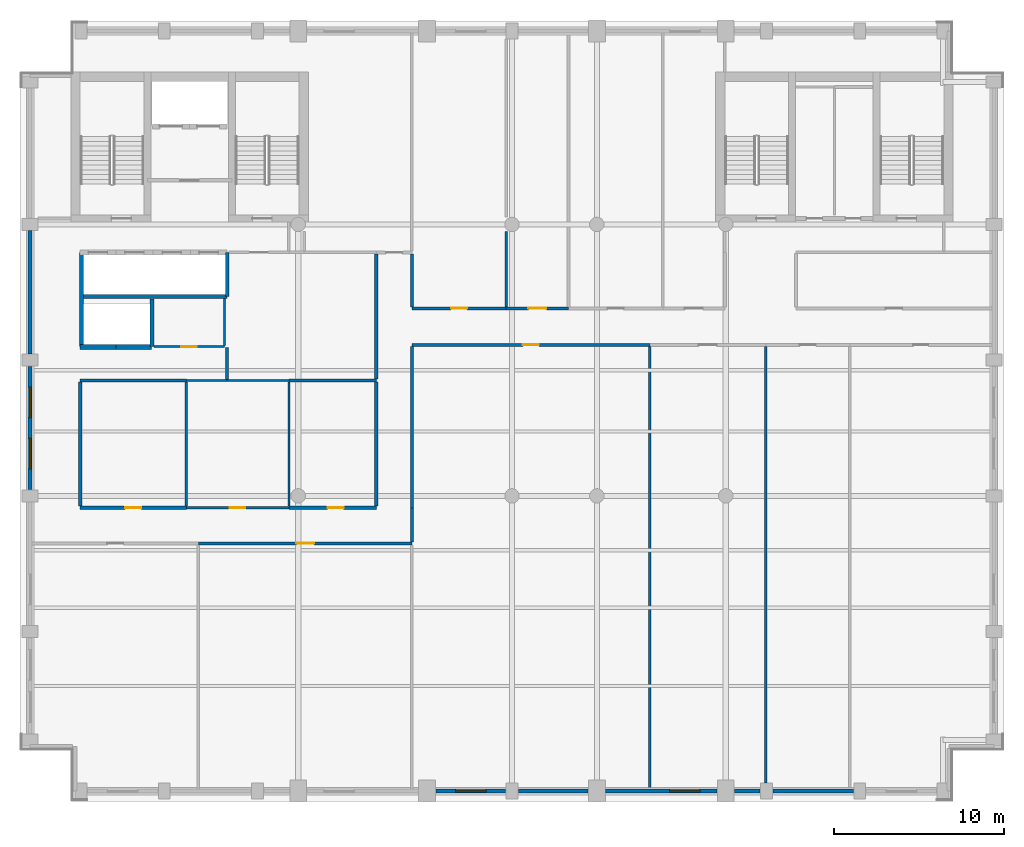
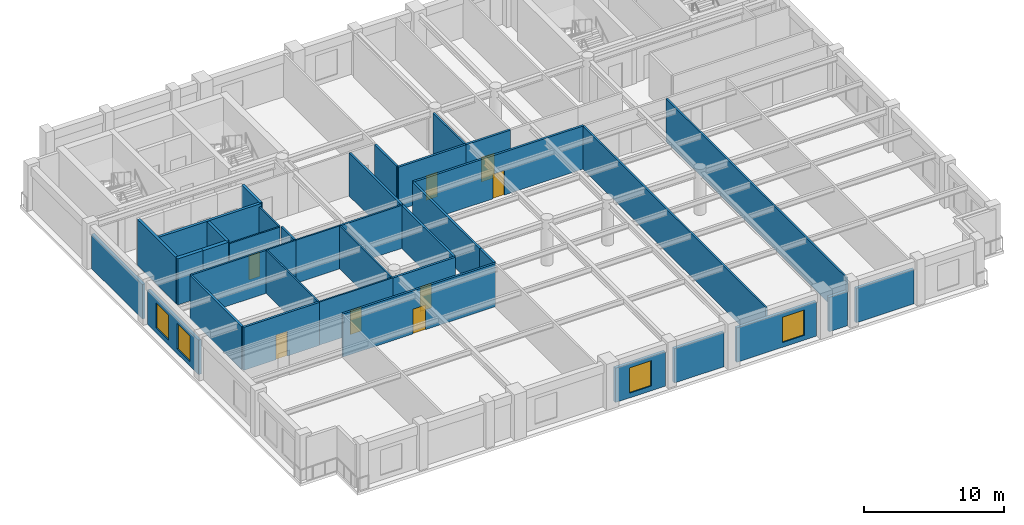
# One storey, part 3 of 9: 38 walls, 8 doors, 4 windows, 12 openings.
"""IFC4 building model written with IfcOpenShell, lengths in metres."""

from ifc_helpers import new_model, si_unit, direction, frame, frame_2d, origin, place, context, subcontext, project, spatial, rectangle, extrude, material, layer, layer_set, type_object, element, fill, save


model = new_model("IFC4")

# Units and contexts
model_context = context("Model", 3, precision=1e-05, world=origin(), true_north=direction((0.0, 1.0)))
body_context = subcontext(model_context, "Body", "Model", "MODEL_VIEW")
ifc_project = project(units=[si_unit("LENGTHUNIT", "METRE"), si_unit("AREAUNIT", "SQUARE_METRE"), si_unit("VOLUMEUNIT", "CUBIC_METRE"), si_unit("PLANEANGLEUNIT", "RADIAN"), si_unit("MASSUNIT", "GRAM", prefix="KILO")], contexts=[model_context])

# Site, building, storey
site_placement = place(None, origin())
site = spatial("IfcSite", under=ifc_project, at=site_placement, CompositionType="ELEMENT")
building_placement = place(site_placement, origin())
building = spatial("IfcBuilding", under=site, at=building_placement, Name="Sulina Concourse Tower", CompositionType="ELEMENT")
storey_placement = place(building_placement, frame((0.0, 0.0, 272.60009765625)))
storey = spatial("IfcBuildingStorey", under=building, at=storey_placement, Name="L66", CompositionType="ELEMENT", Elevation=272.60009765625)

# Walls
ifc_material_1 = material(Name="Concrete C50/60", Category="concrete")
ifc_layer_1 = layer(ifc_material_1, 0.219970703125)
ifc_layer_set_1 = layer_set([ifc_layer_1], Name="Concrete C50/60")
wall_type_1 = type_object("IfcWallType", Name="Core Lift Hoistway Divider Wall 220mm", PredefinedType="SOLIDWALL", material=ifc_layer_set_1)
wall_1_placement = place(storey_placement, frame((3.550048828125, 29.75, 0.0), z_axis=(0.0, 0.0, 1.0), x_axis=(1.0, 0.0, 0.0)))
element("IfcWall", 1, at=wall_1_placement, inside=storey, type_object=wall_type_1, Name="L66 shaft divider wall HW-LP3-S", PredefinedType="SOLIDWALL", context=body_context, shape_type="SweptSolid", body=[
    extrude(rectangle(XDim=8.64990234375, YDim=0.219970703125, at=frame_2d((4.324951171875, 0.0))), origin(), (0.0, 0.0, 1.0), 4.0),
])
wall_2_placement = place(storey_placement, frame((3.6298828125, 26.800048828125, 0.0), z_axis=(0.0, 0.0, 1.0), x_axis=(0.0, 1.0, 0.0)))
element("IfcWall", 2, at=wall_2_placement, inside=storey, type_object=wall_type_1, Name="L66 shaft divider wall HW-LP3-W", PredefinedType="SOLIDWALL", context=body_context, shape_type="SweptSolid", body=[
    extrude(rectangle(XDim=5.550048828125, YDim=0.219970703125, at=frame_2d((2.77490234375, 0.0))), origin(), (0.0, 0.0, 1.0), 4.0),
])
wall_3_placement = place(storey_placement, frame((7.780029296875, 26.800048828125, 0.0), z_axis=(0.0, 0.0, 1.0), x_axis=(0.0, 1.0, 0.0)))
element("IfcWall", 3, at=wall_3_placement, inside=storey, type_object=wall_type_1, Name="L66 shaft divider wall HW-EXP-E", PredefinedType="SOLIDWALL", context=body_context, shape_type="SweptSolid", body=[
    extrude(rectangle(XDim=2.800048828125, YDim=0.219970703125, at=frame_2d((1.39990234375, 0.0))), origin(), (0.0, 0.0, 1.0), 4.0),
])
wall_4_placement = place(storey_placement, frame((12.219970703125, 29.75, 0.0), z_axis=(0.0, 0.0, 1.0), x_axis=(0.0, 1.0, 0.0)))
element("IfcWall", 4, at=wall_4_placement, inside=storey, type_object=wall_type_1, Name="L66 shaft divider wall HW-LP3-E", PredefinedType="SOLIDWALL", context=body_context, shape_type="SweptSolid", body=[
    extrude(rectangle(XDim=2.60009765625, YDim=0.219970703125, at=frame_2d((1.300048828125, 0.0))), origin(), (0.0, 0.0, 1.0), 4.0),
])
ifc_material_2 = material(Name="Concrete C50/60", Category="concrete")
ifc_layer_2 = layer(ifc_material_2, 0.300048828125)
ifc_layer_set_2 = layer_set([ifc_layer_2], Name="Concrete C50/60")
wall_type_2 = type_object("IfcWallType", Name="Core Lift Hoistway Wall 300mm", PredefinedType="SOLIDWALL", material=ifc_layer_set_2)
wall_5_placement = place(storey_placement, frame((5.64990234375, 26.780029296875, 0.0), z_axis=(0.0, 0.0, 1.0), x_axis=(-1.0, 0.0, 0.0)))
element("IfcWall", 5, at=wall_5_placement, inside=storey, type_object=wall_type_2, Name="L66 hoistway enclosure wall EXP-1", PredefinedType="SOLIDWALL", context=body_context, shape_type="SweptSolid", body=[
    extrude(rectangle(XDim=2.099853515625, YDim=0.300048828125, at=frame_2d((1.0498046875, 0.0))), origin(), (0.0, 0.0, 1.0), 4.0),
])
wall_6_placement = place(storey_placement, frame((7.75, 26.780029296875, 0.0), z_axis=(0.0, 0.0, 1.0), x_axis=(-1.0, 0.0, 0.0)))
element("IfcWall", 6, at=wall_6_placement, inside=storey, type_object=wall_type_2, Name="L66 hoistway enclosure wall EXP-2", PredefinedType="SOLIDWALL", context=body_context, shape_type="SweptSolid", body=[
    extrude(rectangle(XDim=2.10009765625, YDim=0.300048828125, at=frame_2d((1.050048828125, 0.0))), origin(), (0.0, 0.0, 1.0), 4.0),
])

# Wall, opening, window
ifc_material_3 = material(Name="Precast concrete C50/60", Category="concrete")
ifc_layer_3 = layer(ifc_material_3, 0.239990234375)
ifc_layer_set_3 = layer_set([ifc_layer_3], Name="Precast concrete C50/60")
wall_type_3 = type_object("IfcWallType", Name="Crown Precast Masonry-Frame Facade Wall 240mm", PredefinedType="SOLIDWALL", material=ifc_layer_set_3)
wall_7_placement = place(storey_placement, frame((28.6298828125, 0.60009765625, 0.0), z_axis=(0.0, 0.0, 1.0), x_axis=(-1.0, 0.0, 0.0)))
wall_7 = element("IfcWall", 7, at=wall_7_placement, inside=storey, type_object=wall_type_3, Name="L66 exterior precast wall S5", PredefinedType="SOLIDWALL", context=body_context, shape_type="SweptSolid", body=[
    extrude(rectangle(XDim=4.10986328125, YDim=0.239990234375, at=frame_2d((2.054931640625, 0.0))), origin(), (0.0, 0.0, 1.0), 3.0),
])
opening_1_placement = place(wall_7_placement, frame((1.155029296875, 0.0, 0.419921875)))
opening_1 = element("IfcOpeningElement", 8, at=opening_1_placement, cuts=wall_7, Name="Opening WN-25", PredefinedType="OPENING", context=body_context, shape_type="SweptSolid", body=[
    extrude(rectangle(XDim=1.800048828125, YDim=2.199951171875, at=frame_2d((0.89990234375, 1.10009765625))), frame((0.0, 0.1298828125, 0.0), z_axis=(0.0, -1.0, 0.0), x_axis=(1.0, 0.0, 0.0)), (0.0, 0.0, 1.0), 0.260009765625),
])
ifc_material_4 = material(Name="Low-E solar double glazing in bronze aluminium", Category="aluminium")
window_type = type_object("IfcWindowType", Name="Punched Masonry-Frame Window 1800x2200", PartitioningType="SINGLE_PANEL", PredefinedType="WINDOW", material=ifc_material_4)
window_1_placement = place(opening_1_placement, origin())
window_1 = element("IfcWindow", 9, at=window_1_placement, inside=storey, type_object=window_type, Name="L66 punched window S5-1", OverallHeight=2.199951171875, OverallWidth=1.800048828125, PartitioningType="SINGLE_PANEL", PredefinedType="WINDOW", context=body_context, shape_type="SweptSolid", body=[
    extrude(rectangle(XDim=1.800048828125, YDim=2.199951171875, at=frame_2d((0.89990234375, 1.10009765625))), frame((0.0, 0.030029296875, 0.0), z_axis=(0.0, -1.0, 0.0), x_axis=(1.0, 0.0, 0.0)), (0.0, 0.0, 1.0), 0.06005859375),
])
fill(opening_1, window_1)

# Wall
wall_8_placement = place(storey_placement, frame((33.47998046875, 0.60009765625, 0.0), z_axis=(0.0, 0.0, 1.0), x_axis=(-1.0, 0.0, 0.0)))
element("IfcWall", 10, at=wall_8_placement, inside=storey, type_object=wall_type_3, Name="L66 exterior precast wall S6", PredefinedType="SOLIDWALL", context=body_context, shape_type="SweptSolid", body=[
    extrude(rectangle(XDim=4.10986328125, YDim=0.239990234375, at=frame_2d((2.054931640625, 0.0))), origin(), (0.0, 0.0, 1.0), 3.0),
])

# Wall, opening, window
wall_9_placement = place(storey_placement, frame((41.080078125, 0.60009765625, 0.0), z_axis=(0.0, 0.0, 1.0), x_axis=(-1.0, 0.0, 0.0)))
wall_9 = element("IfcWall", 11, at=wall_9_placement, inside=storey, type_object=wall_type_3, Name="L66 exterior precast wall S7", PredefinedType="SOLIDWALL", context=body_context, shape_type="SweptSolid", body=[
    extrude(rectangle(XDim=6.56005859375, YDim=0.239990234375, at=frame_2d((3.280029296875, 0.0))), origin(), (0.0, 0.0, 1.0), 3.0),
])
opening_2_placement = place(wall_9_placement, frame((0.98681640625, 0.0, 0.419921875)))
opening_2 = element("IfcOpeningElement", 12, at=opening_2_placement, cuts=wall_9, Name="Opening WN-25", PredefinedType="OPENING", context=body_context, shape_type="SweptSolid", body=[
    extrude(rectangle(XDim=1.800048828125, YDim=2.199951171875, at=frame_2d((0.89990234375, 1.10009765625))), frame((0.0, 0.1298828125, 0.0), z_axis=(0.0, -1.0, 0.0), x_axis=(1.0, 0.0, 0.0)), (0.0, 0.0, 1.0), 0.260009765625),
])
window_2_placement = place(opening_2_placement, origin())
window_2 = element("IfcWindow", 13, at=window_2_placement, inside=storey, type_object=window_type, Name="L66 punched window S7-1", OverallHeight=2.199951171875, OverallWidth=1.800048828125, PartitioningType="SINGLE_PANEL", PredefinedType="WINDOW", context=body_context, shape_type="SweptSolid", body=[
    extrude(rectangle(XDim=1.800048828125, YDim=2.199951171875, at=frame_2d((0.89990234375, 1.10009765625))), frame((0.0, 0.030029296875, 0.0), z_axis=(0.0, -1.0, 0.0), x_axis=(1.0, 0.0, 0.0)), (0.0, 0.0, 1.0), 0.06005859375),
])
fill(opening_2, window_2)

# Walls
wall_10_placement = place(storey_placement, frame((43.6298828125, 0.60009765625, 0.0), z_axis=(0.0, 0.0, 1.0), x_axis=(-1.0, 0.0, 0.0)))
element("IfcWall", 14, at=wall_10_placement, inside=storey, type_object=wall_type_3, Name="L66 exterior precast wall S8", PredefinedType="SOLIDWALL", context=body_context, shape_type="SweptSolid", body=[
    extrude(rectangle(XDim=1.509765625, YDim=0.239990234375, at=frame_2d((0.7548828125, 0.0))), origin(), (0.0, 0.0, 1.0), 3.0),
])
wall_11_placement = place(storey_placement, frame((49.1298828125, 0.60009765625, 0.0), z_axis=(0.0, 0.0, 1.0), x_axis=(-1.0, 0.0, 0.0)))
element("IfcWall", 15, at=wall_11_placement, inside=storey, type_object=wall_type_3, Name="L66 exterior precast wall S9", PredefinedType="SOLIDWALL", context=body_context, shape_type="SweptSolid", body=[
    extrude(rectangle(XDim=4.759765625, YDim=0.239990234375, at=frame_2d((2.3798828125, 0.0))), origin(), (0.0, 0.0, 1.0), 3.0),
])

# Wall, openings, windows
wall_12_placement = place(storey_placement, frame((0.60009765625, 18.3701171875, 0.0), z_axis=(0.0, 0.0, 1.0), x_axis=(0.0, 1.0, 0.0)))
wall_12 = element("IfcWall", 16, at=wall_12_placement, inside=storey, type_object=wall_type_3, Name="L66 exterior precast wall W3", PredefinedType="SOLIDWALL", context=body_context, shape_type="SweptSolid", body=[
    extrude(rectangle(XDim=7.259765625, YDim=0.239990234375, at=frame_2d((3.6298828125, 0.0))), origin(), (0.0, 0.0, 1.0), 3.0),
])
opening_3_placement = place(wall_12_placement, frame((1.219970703125, 0.0, 0.419921875)))
opening_3 = element("IfcOpeningElement", 17, at=opening_3_placement, cuts=wall_12, Name="Opening WN-25", PredefinedType="OPENING", context=body_context, shape_type="SweptSolid", body=[
    extrude(rectangle(XDim=1.800048828125, YDim=2.199951171875, at=frame_2d((0.89990234375, 1.10009765625))), frame((0.0, 0.1298828125, 0.0), z_axis=(0.0, -1.0, 0.0), x_axis=(1.0, 0.0, 0.0)), (0.0, 0.0, 1.0), 0.260009765625),
])
opening_4_placement = place(wall_12_placement, frame((4.239990234375, 0.0, 0.419921875)))
opening_4 = element("IfcOpeningElement", 18, at=opening_4_placement, cuts=wall_12, Name="Opening WN-25", PredefinedType="OPENING", context=body_context, shape_type="SweptSolid", body=[
    extrude(rectangle(XDim=1.800048828125, YDim=2.199951171875, at=frame_2d((0.89990234375, 1.10009765625))), frame((0.0, 0.1298828125, 0.0), z_axis=(0.0, -1.0, 0.0), x_axis=(1.0, 0.0, 0.0)), (0.0, 0.0, 1.0), 0.260009765625),
])
window_3_placement = place(opening_3_placement, origin())
window_3 = element("IfcWindow", 19, at=window_3_placement, inside=storey, type_object=window_type, Name="L66 punched window W3-1", OverallHeight=2.199951171875, OverallWidth=1.800048828125, PartitioningType="SINGLE_PANEL", PredefinedType="WINDOW", context=body_context, shape_type="SweptSolid", body=[
    extrude(rectangle(XDim=1.800048828125, YDim=2.199951171875, at=frame_2d((0.89990234375, 1.10009765625))), frame((0.0, 0.030029296875, 0.0), z_axis=(0.0, -1.0, 0.0), x_axis=(1.0, 0.0, 0.0)), (0.0, 0.0, 1.0), 0.06005859375),
])
fill(opening_3, window_3)
window_4_placement = place(opening_4_placement, origin())
window_4 = element("IfcWindow", 20, at=window_4_placement, inside=storey, type_object=window_type, Name="L66 punched window W3-2", OverallHeight=2.199951171875, OverallWidth=1.800048828125, PartitioningType="SINGLE_PANEL", PredefinedType="WINDOW", context=body_context, shape_type="SweptSolid", body=[
    extrude(rectangle(XDim=1.800048828125, YDim=2.199951171875, at=frame_2d((0.89990234375, 1.10009765625))), frame((0.0, 0.030029296875, 0.0), z_axis=(0.0, -1.0, 0.0), x_axis=(1.0, 0.0, 0.0)), (0.0, 0.0, 1.0), 0.06005859375),
])
fill(opening_4, window_4)

# Walls
wall_13_placement = place(storey_placement, frame((0.60009765625, 26.3701171875, 0.0), z_axis=(0.0, 0.0, 1.0), x_axis=(0.0, 1.0, 0.0)))
element("IfcWall", 21, at=wall_13_placement, inside=storey, type_object=wall_type_3, Name="L66 exterior precast wall W4", PredefinedType="SOLIDWALL", context=body_context, shape_type="SweptSolid", body=[
    extrude(rectangle(XDim=7.259765625, YDim=0.239990234375, at=frame_2d((3.6298828125, 0.0))), origin(), (0.0, 0.0, 1.0), 3.0),
])
ifc_material_5 = material(Name="Gypsum board on steel stud", Category="steel")
ifc_layer_4 = layer(ifc_material_5, 0.14990234375)
ifc_layer_set_4 = layer_set([ifc_layer_4], Name="Gypsum board on steel stud")
wall_type_4 = type_object("IfcWallType", Name="Inter-Tenancy Acoustic Partition 150mm", PredefinedType="PARTITIONING", material=ifc_layer_set_4)
wall_14_placement = place(storey_placement, frame((3.550048828125, 24.800048828125, 0.0), z_axis=(0.0, 0.0, 1.0), x_axis=(1.0, 0.0, 0.0)))
element("IfcWall", 22, at=wall_14_placement, inside=storey, type_object=wall_type_4, Name="L66 interior partition 006", PredefinedType="PARTITIONING", context=body_context, shape_type="SweptSolid", body=[
    extrude(rectangle(XDim=6.25, YDim=0.14990234375, at=frame_2d((3.125, 0.0))), origin(), (0.0, 0.0, 1.0), 3.75),
])
wall_15_placement = place(storey_placement, frame((15.85009765625, 24.800048828125, 0.0), z_axis=(0.0, 0.0, 1.0), x_axis=(1.0, 0.0, 0.0)))
element("IfcWall", 23, at=wall_15_placement, inside=storey, type_object=wall_type_4, Name="L66 interior partition 009", PredefinedType="PARTITIONING", context=body_context, shape_type="SweptSolid", body=[
    extrude(rectangle(XDim=5.14990234375, YDim=0.14990234375, at=frame_2d((2.574951171875, 0.0))), origin(), (0.0, 0.0, 1.0), 3.75),
])
wall_16_placement = place(storey_placement, frame((12.199951171875, 24.862548828125, 0.0), z_axis=(0.0, 0.0, 1.0), x_axis=(0.0, 1.0, 0.0)))
element("IfcWall", 24, at=wall_16_placement, inside=storey, type_object=wall_type_4, Name="L66 interior partition 033", PredefinedType="PARTITIONING", context=body_context, shape_type="SweptSolid", body=[
    extrude(rectangle(XDim=1.875, YDim=0.14990234375, at=frame_2d((0.9375, 0.0))), origin(), (0.0, 0.0, 1.0), 3.75),
])
wall_17_placement = place(storey_placement, frame((28.659912109375, 29.139892578125, 0.0), z_axis=(0.0, 0.0, 1.0), x_axis=(0.0, 1.0, 0.0)))
element("IfcWall", 25, at=wall_17_placement, inside=storey, type_object=wall_type_4, Name="L66 interior partition 044", PredefinedType="PARTITIONING", context=body_context, shape_type="SweptSolid", body=[
    extrude(rectangle(XDim=4.43505859375, YDim=0.14990234375, at=frame_2d((2.217529296875, 0.0))), origin(), (0.0, 0.0, 1.0), 3.75),
])
wall_18_placement = place(storey_placement, frame((37.1201171875, 0.719970703125, 0.0), z_axis=(0.0, 0.0, 1.0), x_axis=(0.0, 1.0, 0.0)))
element("IfcWall", 26, at=wall_18_placement, inside=storey, type_object=wall_type_4, Name="L66 interior partition 047", PredefinedType="PARTITIONING", context=body_context, shape_type="SweptSolid", body=[
    extrude(rectangle(XDim=26.090087890625, YDim=0.14990234375, at=frame_2d((13.044921875, 0.0))), origin(), (0.0, 0.0, 1.0), 3.75),
])
wall_19_placement = place(storey_placement, frame((43.9599609375, 1.074951171875, 0.0), z_axis=(0.0, 0.0, 1.0), x_axis=(0.0, 1.0, 0.0)))
element("IfcWall", 27, at=wall_19_placement, inside=storey, type_object=wall_type_4, Name="L66 interior partition 052", PredefinedType="PARTITIONING", context=body_context, shape_type="SweptSolid", body=[
    extrude(rectangle(XDim=25.735107421875, YDim=0.14990234375, at=frame_2d((12.86767578125, 0.0))), origin(), (0.0, 0.0, 1.0), 3.75),
])

# Wall, opening, door
ifc_material_6 = material(Name="Gypsum board on steel stud", Category="steel")
ifc_layer_5 = layer(ifc_material_6, 0.179931640625)
ifc_layer_set_5 = layer_set([ifc_layer_5], Name="Gypsum board on steel stud")
wall_type_5 = type_object("IfcWallType", Name="Protected Corridor & Riser Partition 180mm", PredefinedType="PARTITIONING", material=ifc_layer_set_5)
wall_20_placement = place(storey_placement, frame((10.52001953125, 15.199951171875, 0.0), z_axis=(0.0, 0.0, 1.0), x_axis=(1.0, 0.0, 0.0)))
wall_20 = element("IfcWall", 28, at=wall_20_placement, inside=storey, type_object=wall_type_5, Name="L66 interior partition 002", PredefinedType="PARTITIONING", context=body_context, shape_type="SweptSolid", body=[
    extrude(rectangle(XDim=12.580078125, YDim=0.179931640625, at=frame_2d((6.2900390625, 0.0))), origin(), (0.0, 0.0, 1.0), 3.75),
])
opening_5_placement = place(wall_20_placement, frame((5.764892578125, 0.0, 0.0)))
opening_5 = element("IfcOpeningElement", 29, at=opening_5_placement, cuts=wall_20, Name="Opening DR-37", PredefinedType="OPENING", context=body_context, shape_type="SweptSolid", body=[
    extrude(rectangle(XDim=1.050048828125, YDim=2.14990234375, at=frame_2d((0.52490234375, 1.074951171875))), frame((0.0, 0.099853515625, 0.0), z_axis=(0.0, -1.0, 0.0), x_axis=(1.0, 0.0, 0.0)), (0.0, 0.0, 1.0), 0.199951171875),
])
ifc_material_7 = material(Name="Oak-veneered fire door leaf")
ifc_layer_6 = layer(ifc_material_7, 0.050048828125)
ifc_layer_set_6 = layer_set([ifc_layer_6], Name="Oak-veneered fire door leaf")
door_type_1 = type_object("IfcDoorType", Name="Tenant Suite Entrance Fire Door 1050x2150", OperationType="NOTDEFINED", PredefinedType="DOOR", material=ifc_layer_set_6)
door_1_placement = place(opening_5_placement, origin())
door_1 = element("IfcDoor", 30, at=door_1_placement, inside=storey, type_object=door_type_1, Name="L66 interior door L66-S02", OperationType="SINGLE_SWING_LEFT", OverallHeight=2.14990234375, OverallWidth=1.050048828125, PredefinedType="DOOR", context=body_context, shape_type="SweptSolid", body=[
    extrude(rectangle(XDim=1.050048828125, YDim=2.14990234375, at=frame_2d((0.52490234375, 1.074951171875))), frame((0.0, 0.02490234375, 0.0), z_axis=(0.0, -1.0, 0.0), x_axis=(1.0, 0.0, 0.0)), (0.0, 0.0, 1.0), 0.050048828125),
])
fill(opening_5, door_1)

wall_21_placement = place(storey_placement, frame((3.550048828125, 17.300048828125, 0.0), z_axis=(0.0, 0.0, 1.0), x_axis=(1.0, 0.0, 0.0)))
wall_21 = element("IfcWall", 31, at=wall_21_placement, inside=storey, type_object=wall_type_5, Name="L66 interior partition 003", PredefinedType="PARTITIONING", context=body_context, shape_type="SweptSolid", body=[
    extrude(rectangle(XDim=6.25, YDim=0.179931640625, at=frame_2d((3.125, 0.0))), origin(), (0.0, 0.0, 1.0), 3.75),
])
opening_6_placement = place(wall_21_placement, frame((2.64990234375, 0.0, 0.0)))
opening_6 = element("IfcOpeningElement", 32, at=opening_6_placement, cuts=wall_21, Name="Opening DR-19", PredefinedType="OPENING", context=body_context, shape_type="SweptSolid", body=[
    extrude(rectangle(XDim=0.949951171875, YDim=2.14990234375, at=frame_2d((0.47509765625, 1.074951171875))), frame((0.0, 0.099853515625, 0.0), z_axis=(0.0, -1.0, 0.0), x_axis=(1.0, 0.0, 0.0)), (0.0, 0.0, 1.0), 0.199951171875),
])
ifc_material_8 = material(Name="Oak-veneered acoustic timber leaf", Category="wood")
ifc_layer_7 = layer(ifc_material_8, 0.050048828125)
ifc_layer_set_7 = layer_set([ifc_layer_7], Name="Oak-veneered acoustic timber leaf")
door_type_2 = type_object("IfcDoorType", Name="Cellular Office & Meeting Door 950x2150", OperationType="NOTDEFINED", PredefinedType="DOOR", material=ifc_layer_set_7)
door_2_placement = place(opening_6_placement, origin())
door_2 = element("IfcDoor", 33, at=door_2_placement, inside=storey, type_object=door_type_2, Name="L66 interior door L66-LR-MRG1", OperationType="SINGLE_SWING_RIGHT", OverallHeight=2.14990234375, OverallWidth=0.949951171875, PredefinedType="DOOR", context=body_context, shape_type="SweptSolid", body=[
    extrude(rectangle(XDim=0.949951171875, YDim=2.14990234375, at=frame_2d((0.47509765625, 1.074951171875))), frame((0.0, 0.02490234375, 0.0), z_axis=(0.0, -1.0, 0.0), x_axis=(1.0, 0.0, 0.0)), (0.0, 0.0, 1.0), 0.050048828125),
])
fill(opening_6, door_2)

wall_22_placement = place(storey_placement, frame((15.85009765625, 17.300048828125, 0.0), z_axis=(0.0, 0.0, 1.0), x_axis=(1.0, 0.0, 0.0)))
wall_22 = element("IfcWall", 34, at=wall_22_placement, inside=storey, type_object=wall_type_5, Name="L66 interior partition 005", PredefinedType="PARTITIONING", context=body_context, shape_type="SweptSolid", body=[
    extrude(rectangle(XDim=5.14990234375, YDim=0.179931640625, at=frame_2d((2.574951171875, 0.0))), origin(), (0.0, 0.0, 1.0), 3.75),
])
opening_7_placement = place(wall_22_placement, frame((2.280029296875, 0.0, 0.0)))
opening_7 = element("IfcOpeningElement", 35, at=opening_7_placement, cuts=wall_22, Name="Opening DR-19", PredefinedType="OPENING", context=body_context, shape_type="SweptSolid", body=[
    extrude(rectangle(XDim=0.949951171875, YDim=2.14990234375, at=frame_2d((0.47509765625, 1.074951171875))), frame((0.0, 0.099853515625, 0.0), z_axis=(0.0, -1.0, 0.0), x_axis=(1.0, 0.0, 0.0)), (0.0, 0.0, 1.0), 0.199951171875),
])
door_3_placement = place(opening_7_placement, origin())
door_3 = element("IfcDoor", 36, at=door_3_placement, inside=storey, type_object=door_type_2, Name="L66 interior door L66-NZ-PKW", OperationType="SINGLE_SWING_RIGHT", OverallHeight=2.14990234375, OverallWidth=0.949951171875, PredefinedType="DOOR", context=body_context, shape_type="SweptSolid", body=[
    extrude(rectangle(XDim=0.949951171875, YDim=2.14990234375, at=frame_2d((0.47509765625, 1.074951171875))), frame((0.0, 0.02490234375, 0.0), z_axis=(0.0, -1.0, 0.0), x_axis=(1.0, 0.0, 0.0)), (0.0, 0.0, 1.0), 0.050048828125),
])
fill(opening_7, door_3)

wall_23_placement = place(storey_placement, frame((23.10009765625, 26.89990234375, 0.0), z_axis=(0.0, 0.0, 1.0), x_axis=(1.0, 0.0, 0.0)))
wall_23 = element("IfcWall", 37, at=wall_23_placement, inside=storey, type_object=wall_type_5, Name="L66 interior partition 011", PredefinedType="PARTITIONING", context=body_context, shape_type="SweptSolid", body=[
    extrude(rectangle(XDim=14.02001953125, YDim=0.179931640625, at=frame_2d((7.010009765625, 0.0))), origin(), (0.0, 0.0, 1.0), 3.75),
])
opening_8_placement = place(wall_23_placement, frame((6.534912109375, 0.0, 0.0)))
opening_8 = element("IfcOpeningElement", 38, at=opening_8_placement, cuts=wall_23, Name="Opening DR-19", PredefinedType="OPENING", context=body_context, shape_type="SweptSolid", body=[
    extrude(rectangle(XDim=0.949951171875, YDim=2.14990234375, at=frame_2d((0.47509765625, 1.074951171875))), frame((0.0, 0.099853515625, 0.0), z_axis=(0.0, -1.0, 0.0), x_axis=(1.0, 0.0, 0.0)), (0.0, 0.0, 1.0), 0.199951171875),
])
door_4_placement = place(opening_8_placement, origin())
door_4 = element("IfcDoor", 39, at=door_4_placement, inside=storey, type_object=door_type_2, Name="L66 interior door L66-S03", OperationType="SINGLE_SWING_RIGHT", OverallHeight=2.14990234375, OverallWidth=0.949951171875, PredefinedType="DOOR", context=body_context, shape_type="SweptSolid", body=[
    extrude(rectangle(XDim=0.949951171875, YDim=2.14990234375, at=frame_2d((0.47509765625, 1.074951171875))), frame((0.0, 0.02490234375, 0.0), z_axis=(0.0, -1.0, 0.0), x_axis=(1.0, 0.0, 0.0)), (0.0, 0.0, 1.0), 0.050048828125),
])
fill(opening_8, door_4)

wall_24_placement = place(storey_placement, frame((23.10009765625, 29.050048828125, 0.0), z_axis=(0.0, 0.0, 1.0), x_axis=(1.0, 0.0, 0.0)))
wall_24 = element("IfcWall", 40, at=wall_24_placement, inside=storey, type_object=wall_type_5, Name="L66 interior partition 015", PredefinedType="PARTITIONING", context=body_context, shape_type="SweptSolid", body=[
    extrude(rectangle(XDim=5.559814453125, YDim=0.179931640625, at=frame_2d((2.77978515625, 0.0))), origin(), (0.0, 0.0, 1.0), 3.75),
])
opening_9_placement = place(wall_24_placement, frame((2.304931640625, 0.0, 0.0)))
opening_9 = element("IfcOpeningElement", 41, at=opening_9_placement, cuts=wall_24, Name="Opening DR-19", PredefinedType="OPENING", context=body_context, shape_type="SweptSolid", body=[
    extrude(rectangle(XDim=0.949951171875, YDim=2.14990234375, at=frame_2d((0.47509765625, 1.074951171875))), frame((0.0, 0.099853515625, 0.0), z_axis=(0.0, -1.0, 0.0), x_axis=(1.0, 0.0, 0.0)), (0.0, 0.0, 1.0), 0.199951171875),
])
door_5_placement = place(opening_9_placement, origin())
door_5 = element("IfcDoor", 42, at=door_5_placement, inside=storey, type_object=door_type_2, Name="L66 interior door L66-NC1", OperationType="SINGLE_SWING_RIGHT", OverallHeight=2.14990234375, OverallWidth=0.949951171875, PredefinedType="DOOR", context=body_context, shape_type="SweptSolid", body=[
    extrude(rectangle(XDim=0.949951171875, YDim=2.14990234375, at=frame_2d((0.47509765625, 1.074951171875))), frame((0.0, 0.02490234375, 0.0), z_axis=(0.0, -1.0, 0.0), x_axis=(1.0, 0.0, 0.0)), (0.0, 0.0, 1.0), 0.050048828125),
])
fill(opening_9, door_5)

wall_25_placement = place(storey_placement, frame((28.659912109375, 29.050048828125, 0.0), z_axis=(0.0, 0.0, 1.0), x_axis=(1.0, 0.0, 0.0)))
wall_25 = element("IfcWall", 43, at=wall_25_placement, inside=storey, type_object=wall_type_5, Name="L66 interior partition 016", PredefinedType="PARTITIONING", context=body_context, shape_type="SweptSolid", body=[
    extrude(rectangle(XDim=3.670166015625, YDim=0.179931640625, at=frame_2d((1.8349609375, 0.0))), origin(), (0.0, 0.0, 1.0), 3.75),
])
opening_10_placement = place(wall_25_placement, frame((1.31005859375, 0.0, 0.0)))
opening_10 = element("IfcOpeningElement", 44, at=opening_10_placement, cuts=wall_25, Name="Opening DR-37", PredefinedType="OPENING", context=body_context, shape_type="SweptSolid", body=[
    extrude(rectangle(XDim=1.050048828125, YDim=2.14990234375, at=frame_2d((0.52490234375, 1.074951171875))), frame((0.0, 0.099853515625, 0.0), z_axis=(0.0, -1.0, 0.0), x_axis=(1.0, 0.0, 0.0)), (0.0, 0.0, 1.0), 0.199951171875),
])
door_6_placement = place(opening_10_placement, origin())
door_6 = element("IfcDoor", 45, at=door_6_placement, inside=storey, type_object=door_type_1, Name="L66 interior door L66-NC2", OperationType="SINGLE_SWING_LEFT", OverallHeight=2.14990234375, OverallWidth=1.050048828125, PredefinedType="DOOR", context=body_context, shape_type="SweptSolid", body=[
    extrude(rectangle(XDim=1.050048828125, YDim=2.14990234375, at=frame_2d((0.52490234375, 1.074951171875))), frame((0.0, 0.02490234375, 0.0), z_axis=(0.0, -1.0, 0.0), x_axis=(1.0, 0.0, 0.0)), (0.0, 0.0, 1.0), 0.050048828125),
])
fill(opening_10, door_6)

# Walls
for number, where, z_axis, x_axis, name in (
    (46, (3.550048828125, 17.389892578125, 0.0), (0.0, 0.0, 1.0), (0.0, 1.0, 0.0), "L66 interior partition 029"),
    (47, (21.0, 17.389892578125, 0.0), (0.0, 0.0, 1.0), (0.0, 1.0, 0.0), "L66 interior partition 037"),
):
    element("IfcWall", number, at=place(storey_placement, frame(where, z_axis=z_axis, x_axis=x_axis)), inside=storey, type_object=wall_type_5, Name=name, PredefinedType="PARTITIONING", context=body_context, shape_type="SweptSolid", body=[
        extrude(rectangle(XDim=7.335205078125, YDim=0.179931640625, at=frame_2d((3.66748046875, 0.0))), origin(), (0.0, 0.0, 1.0), 3.75),
    ])
wall_26_placement = place(storey_placement, frame((21.0, 24.875, 0.0), z_axis=(0.0, 0.0, 1.0), x_axis=(0.0, 1.0, 0.0)))
element("IfcWall", 48, at=wall_26_placement, inside=storey, type_object=wall_type_5, Name="L66 interior partition 038", PredefinedType="PARTITIONING", context=body_context, shape_type="SweptSolid", body=[
    extrude(rectangle(XDim=7.385009765625, YDim=0.179931640625, at=frame_2d((3.6923828125, 0.0))), origin(), (0.0, 0.0, 1.0), 3.75),
])
wall_27_placement = place(storey_placement, frame((23.10009765625, 15.2900390625, 0.0), z_axis=(0.0, 0.0, 1.0), x_axis=(0.0, 1.0, 0.0)))
element("IfcWall", 49, at=wall_27_placement, inside=storey, type_object=wall_type_5, Name="L66 interior partition 040", PredefinedType="PARTITIONING", context=body_context, shape_type="SweptSolid", body=[
    extrude(rectangle(XDim=2.010009765625, YDim=0.179931640625, at=frame_2d((1.0048828125, 0.0))), origin(), (0.0, 0.0, 1.0), 3.75),
])
wall_28_placement = place(storey_placement, frame((23.10009765625, 17.300048828125, 0.0), z_axis=(0.0, 0.0, 1.0), x_axis=(0.0, 1.0, 0.0)))
element("IfcWall", 50, at=wall_28_placement, inside=storey, type_object=wall_type_5, Name="L66 interior partition 041", PredefinedType="PARTITIONING", context=body_context, shape_type="SweptSolid", body=[
    extrude(rectangle(XDim=9.510009765625, YDim=0.179931640625, at=frame_2d((4.7548828125, 0.0))), origin(), (0.0, 0.0, 1.0), 3.75),
])
wall_29_placement = place(storey_placement, frame((23.10009765625, 29.139892578125, 0.0), z_axis=(0.0, 0.0, 1.0), x_axis=(0.0, 1.0, 0.0)))
element("IfcWall", 51, at=wall_29_placement, inside=storey, type_object=wall_type_5, Name="L66 interior partition 042", PredefinedType="PARTITIONING", context=body_context, shape_type="SweptSolid", body=[
    extrude(rectangle(XDim=3.1201171875, YDim=0.179931640625, at=frame_2d((1.56005859375, 0.0))), origin(), (0.0, 0.0, 1.0), 3.75),
])

# Wall, opening, door
ifc_material_9 = material(Name="Gypsum board on steel stud", Category="steel")
ifc_layer_8 = layer(ifc_material_9, 0.125)
ifc_layer_set_8 = layer_set([ifc_layer_8], Name="Gypsum board on steel stud")
wall_type_6 = type_object("IfcWallType", Name="Wet-Area Moisture-Resistant Partition 125mm", PredefinedType="PARTITIONING", material=ifc_layer_set_8)
wall_30_placement = place(storey_placement, frame((9.800048828125, 17.300048828125, 0.0), z_axis=(0.0, 0.0, 1.0), x_axis=(1.0, 0.0, 0.0)))
wall_30 = element("IfcWall", 52, at=wall_30_placement, inside=storey, type_object=wall_type_6, Name="L66 interior partition 004", PredefinedType="PARTITIONING", context=body_context, shape_type="SweptSolid", body=[
    extrude(rectangle(XDim=6.050048828125, YDim=0.125, at=frame_2d((3.02490234375, 0.0))), origin(), (0.0, 0.0, 1.0), 3.75),
])
opening_11_placement = place(wall_30_placement, frame((2.574951171875, 0.0, 0.0)))
opening_11 = element("IfcOpeningElement", 53, at=opening_11_placement, cuts=wall_30, Name="Opening DR-21", PredefinedType="OPENING", context=body_context, shape_type="SweptSolid", body=[
    extrude(rectangle(XDim=0.89990234375, YDim=2.10009765625, at=frame_2d((0.449951171875, 1.050048828125))), frame((0.0, 0.072509765625, 0.0), z_axis=(0.0, -1.0, 0.0), x_axis=(1.0, 0.0, 0.0)), (0.0, 0.0, 1.0), 0.14501953125),
])
ifc_material_10 = material(Name="Oak-veneered fire door leaf")
ifc_layer_9 = layer(ifc_material_10, 0.050048828125)
ifc_layer_set_9 = layer_set([ifc_layer_9], Name="Oak-veneered fire door leaf")
door_type_3 = type_object("IfcDoorType", Name="Restroom & Service Door 900x2100", OperationType="NOTDEFINED", PredefinedType="DOOR", material=ifc_layer_set_9)
door_7_placement = place(opening_11_placement, origin())
door_7 = element("IfcDoor", 54, at=door_7_placement, inside=storey, type_object=door_type_3, Name="L66 interior door L66-LR-MRG2", OperationType="SINGLE_SWING_LEFT", OverallHeight=2.10009765625, OverallWidth=0.89990234375, PredefinedType="DOOR", context=body_context, shape_type="SweptSolid", body=[
    extrude(rectangle(XDim=0.89990234375, YDim=2.10009765625, at=frame_2d((0.449951171875, 1.050048828125))), frame((0.0, 0.02490234375, 0.0), z_axis=(0.0, -1.0, 0.0), x_axis=(1.0, 0.0, 0.0)), (0.0, 0.0, 1.0), 0.050048828125),
])
fill(opening_11, door_7)

# Walls
wall_31_placement = place(storey_placement, frame((9.800048828125, 24.800048828125, 0.0), z_axis=(0.0, 0.0, 1.0), x_axis=(1.0, 0.0, 0.0)))
element("IfcWall", 55, at=wall_31_placement, inside=storey, type_object=wall_type_6, Name="L66 interior partition 007", PredefinedType="PARTITIONING", context=body_context, shape_type="SweptSolid", body=[
    extrude(rectangle(XDim=2.39990234375, YDim=0.125, at=frame_2d((1.199951171875, 0.0))), origin(), (0.0, 0.0, 1.0), 3.75),
])
wall_32_placement = place(storey_placement, frame((12.199951171875, 24.800048828125, 0.0), z_axis=(0.0, 0.0, 1.0), x_axis=(1.0, 0.0, 0.0)))
element("IfcWall", 56, at=wall_32_placement, inside=storey, type_object=wall_type_6, Name="L66 interior partition 008", PredefinedType="PARTITIONING", context=body_context, shape_type="SweptSolid", body=[
    extrude(rectangle(XDim=3.650146484375, YDim=0.125, at=frame_2d((1.8251953125, 0.0))), origin(), (0.0, 0.0, 1.0), 3.75),
])

# Wall, opening, door
wall_33_placement = place(storey_placement, frame((7.889892578125, 26.800048828125, 0.0), z_axis=(0.0, 0.0, 1.0), x_axis=(1.0, 0.0, 0.0)))
wall_33 = element("IfcWall", 57, at=wall_33_placement, inside=storey, type_object=wall_type_6, Name="L66 interior partition 010", PredefinedType="PARTITIONING", context=body_context, shape_type="SweptSolid", body=[
    extrude(rectangle(XDim=4.16015625, YDim=0.125, at=frame_2d((2.080078125, 0.0))), origin(), (0.0, 0.0, 1.0), 3.75),
])
opening_12_placement = place(wall_33_placement, frame((1.6201171875, 0.0, 0.0)))
opening_12 = element("IfcOpeningElement", 58, at=opening_12_placement, cuts=wall_33, Name="Opening DR-61", PredefinedType="OPENING", context=body_context, shape_type="SweptSolid", body=[
    extrude(rectangle(XDim=0.919921875, YDim=2.10009765625, at=frame_2d((0.4599609375, 1.050048828125))), frame((0.0, 0.072509765625, 0.0), z_axis=(0.0, -1.0, 0.0), x_axis=(1.0, 0.0, 0.0)), (0.0, 0.0, 1.0), 0.14501953125),
])
ifc_material_11 = material(Name="Oak-veneered fire door leaf")
ifc_layer_10 = layer(ifc_material_11, 0.050048828125)
ifc_layer_set_10 = layer_set([ifc_layer_10], Name="Oak-veneered fire door leaf")
door_type_4 = type_object("IfcDoorType", Name="Accessible WC Door 920x2100", OperationType="NOTDEFINED", PredefinedType="DOOR", material=ifc_layer_set_10)
door_8_placement = place(opening_12_placement, origin())
door_8 = element("IfcDoor", 59, at=door_8_placement, inside=storey, type_object=door_type_4, Name="L66 interior door L66-WC-ACC", OperationType="SINGLE_SWING_LEFT", OverallHeight=2.10009765625, OverallWidth=0.919921875, PredefinedType="DOOR", context=body_context, shape_type="SweptSolid", body=[
    extrude(rectangle(XDim=0.919921875, YDim=2.10009765625, at=frame_2d((0.4599609375, 1.050048828125))), frame((0.0, 0.02490234375, 0.0), z_axis=(0.0, -1.0, 0.0), x_axis=(1.0, 0.0, 0.0)), (0.0, 0.0, 1.0), 0.050048828125),
])
fill(opening_12, door_8)

# Walls
wall_34_placement = place(storey_placement, frame((9.800048828125, 17.389892578125, 0.0), z_axis=(0.0, 0.0, 1.0), x_axis=(0.0, 1.0, 0.0)))
element("IfcWall", 60, at=wall_34_placement, inside=storey, type_object=wall_type_6, Name="L66 interior partition 030", PredefinedType="PARTITIONING", context=body_context, shape_type="SweptSolid", body=[
    extrude(rectangle(XDim=7.335205078125, YDim=0.125, at=frame_2d((3.66748046875, 0.0))), origin(), (0.0, 0.0, 1.0), 3.75),
])
wall_35_placement = place(storey_placement, frame((12.050048828125, 26.862548828125, 0.0), z_axis=(0.0, 0.0, 1.0), x_axis=(0.0, 1.0, 0.0)))
element("IfcWall", 61, at=wall_35_placement, inside=storey, type_object=wall_type_6, Name="L66 interior partition 032", PredefinedType="PARTITIONING", context=body_context, shape_type="SweptSolid", body=[
    extrude(rectangle(XDim=2.77734375, YDim=0.125, at=frame_2d((1.388671875, 0.0))), origin(), (0.0, 0.0, 1.0), 3.75),
])
wall_36_placement = place(storey_placement, frame((15.85009765625, 17.389892578125, 0.0), z_axis=(0.0, 0.0, 1.0), x_axis=(0.0, 1.0, 0.0)))
element("IfcWall", 62, at=wall_36_placement, inside=storey, type_object=wall_type_6, Name="L66 interior partition 034", PredefinedType="PARTITIONING", context=body_context, shape_type="SweptSolid", body=[
    extrude(rectangle(XDim=7.335205078125, YDim=0.125, at=frame_2d((3.66748046875, 0.0))), origin(), (0.0, 0.0, 1.0), 3.75),
])

save(model, "model.ifc")
